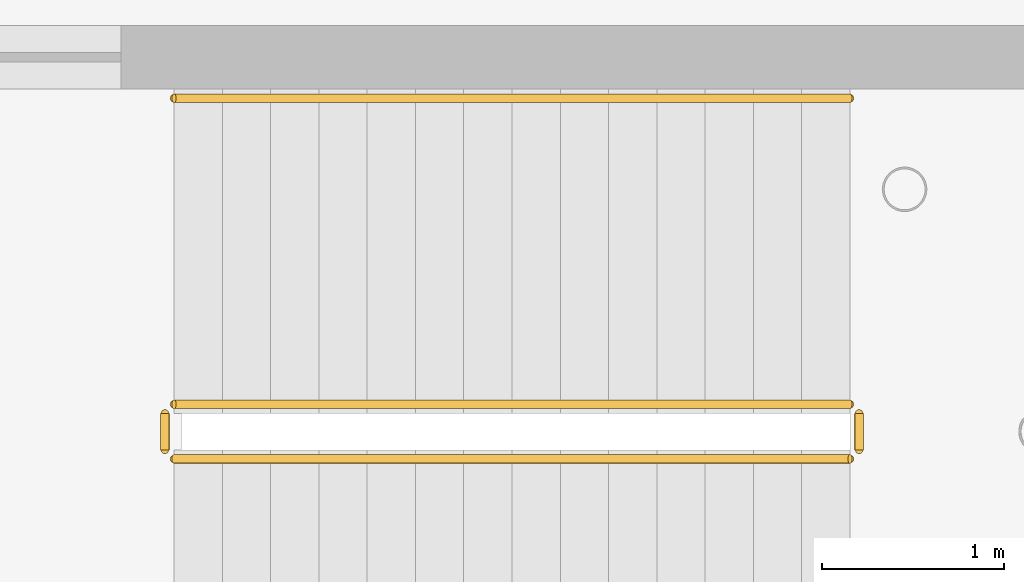
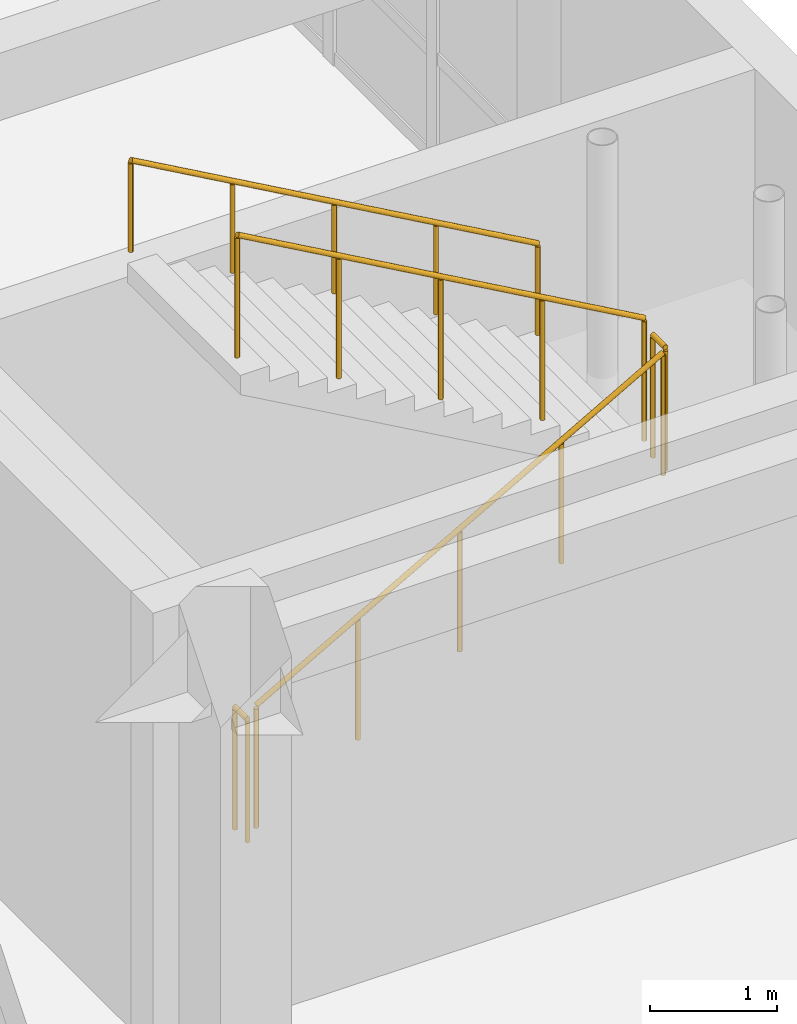
# One storey, part 158 of 160: 5 railings.
"""IFC4 building model written with IfcOpenShell, lengths in metres."""

from ifc_helpers import new_model, si_unit, direction, frame, origin, origin_2d, place, context, subcontext, project, spatial, circle, extrude, material, type_object, element, save


model = new_model("IFC4")

# Units and contexts
model_context = context("Model", 3, precision=1e-05, world=origin(), true_north=direction((0.0, 1.0)))
body_context = subcontext(model_context, "Body", "Model", "MODEL_VIEW")
ifc_project = project(units=[si_unit("LENGTHUNIT", "METRE"), si_unit("AREAUNIT", "SQUARE_METRE"), si_unit("VOLUMEUNIT", "CUBIC_METRE"), si_unit("PLANEANGLEUNIT", "RADIAN"), si_unit("MASSUNIT", "GRAM", prefix="KILO")], contexts=[model_context])

# Site, building, storey
site_placement = place(None, origin())
site = spatial("IfcSite", under=ifc_project, at=site_placement, CompositionType="ELEMENT")
building_placement = place(site_placement, origin())
building = spatial("IfcBuilding", under=site, at=building_placement, Name="Kharva Crest Polytechnic", CompositionType="ELEMENT")
storey_placement = place(building_placement, frame((0.0, 0.0, 4.5)))
storey = spatial("IfcBuildingStorey", under=building, at=storey_placement, Name="L01", CompositionType="ELEMENT", Elevation=4.5)

# Railings
ifc_material_1 = material(Name="Anodised aluminium", Category="aluminium")
railing_type_1 = type_object("IfcRailingType", Name="RL-STAIR-GUARD-1200", PredefinedType="GUARDRAIL", material=ifc_material_1)
railing_1_placement = place(storey_placement, frame((178.090087890625, 73.39990234375, 0.14990234375)))
element("IfcRailing", 1, at=railing_1_placement, inside=storey, type_object=railing_type_1, Name="L01 ST-05 stair guard 1", PredefinedType="GUARDRAIL", context=body_context, shape_type="SweptSolid", body=[
    extrude(circle(Radius=0.02392578125, at=origin_2d()), frame((0.0, 0.0, 1.17578125), z_axis=(0.870244811389, 0.0, 0.492619496418), x_axis=(0.0, 1.0, 0.0)), (0.0, 0.0, 1.0), 4.26318359375),
    extrude(circle(Radius=0.02099609375, at=origin_2d()), origin(), (0.0, 0.0, 1.0), 1.15185546875),
    extrude(circle(Radius=0.02099609375, at=origin_2d()), frame((0.927490234375, 0.0, 0.52490234375)), (0.0, 0.0, 1.0), 1.15185546875),
    extrude(circle(Radius=0.02099609375, at=origin_2d()), frame((1.85498046875, 0.0, 1.050048828125)), (0.0, 0.0, 1.0), 1.15185546875),
    extrude(circle(Radius=0.02099609375, at=origin_2d()), frame((2.782470703125, 0.0, 1.5751953125)), (0.0, 0.0, 1.0), 1.15185546875),
    extrude(circle(Radius=0.02099609375, at=origin_2d()), frame((3.7099609375, 0.0, 2.10009765625)), (0.0, 0.0, 1.0), 1.15185546875),
])
railing_2_placement = place(storey_placement, frame((181.85009765625, 73.449951171875, 2.25)))
element("IfcRailing", 2, at=railing_2_placement, inside=storey, type_object=railing_type_1, Name="L01 ST-05 stair guard 2", PredefinedType="GUARDRAIL", context=body_context, shape_type="SweptSolid", body=[
    extrude(circle(Radius=0.02392578125, at=origin_2d()), frame((0.0, 0.0, 1.17578125), z_axis=(0.0, 1.0, 0.0), x_axis=(-1.0, 0.0, 0.0)), (0.0, 0.0, 1.0), 0.199951171875),
    extrude(circle(Radius=0.02099609375, at=origin_2d()), origin(), (0.0, 0.0, 1.0), 1.15185546875),
    extrude(circle(Radius=0.02099609375, at=origin_2d()), frame((0.0, 0.199951171875, 0.0)), (0.0, 0.0, 1.0), 1.15185546875),
])
railing_3_placement = place(storey_placement, frame((181.800048828125, 73.699951171875, 2.39990234375)))
element("IfcRailing", 3, at=railing_3_placement, inside=storey, type_object=railing_type_1, Name="L01 ST-05 stair guard 3", PredefinedType="GUARDRAIL", context=body_context, shape_type="SweptSolid", body=[
    extrude(circle(Radius=0.02392578125, at=origin_2d()), frame((0.0, 0.0, 1.17578125), z_axis=(-0.870244811389, 0.0, 0.492619496418), x_axis=(0.0, -1.0, 0.0)), (0.0, 0.0, 1.0), 4.26318359375),
    extrude(circle(Radius=0.02099609375, at=origin_2d()), origin(), (0.0, 0.0, 1.0), 1.15185546875),
    extrude(circle(Radius=0.02099609375, at=origin_2d()), frame((-0.927490234375, 0.0, 0.52490234375)), (0.0, 0.0, 1.0), 1.15185546875),
    extrude(circle(Radius=0.02099609375, at=origin_2d()), frame((-1.85498046875, 0.0, 1.050048828125)), (0.0, 0.0, 1.0), 1.15185546875),
    extrude(circle(Radius=0.02099609375, at=origin_2d()), frame((-2.782470703125, 0.0, 1.5751953125)), (0.0, 0.0, 1.0), 1.15185546875),
    extrude(circle(Radius=0.02099609375, at=origin_2d()), frame((-3.7099609375, 0.0, 2.10009765625)), (0.0, 0.0, 1.0), 1.15185546875),
])
railing_4_placement = place(storey_placement, frame((178.0400390625, 73.449951171875, 0.0)))
element("IfcRailing", 4, at=railing_4_placement, inside=storey, type_object=railing_type_1, Name="L01 ST-05 stair guard 4", PredefinedType="GUARDRAIL", context=body_context, shape_type="SweptSolid", body=[
    extrude(circle(Radius=0.02392578125, at=origin_2d()), frame((0.0, 0.0, 1.17578125), z_axis=(0.0, 1.0, 0.0), x_axis=(-1.0, 0.0, 0.0)), (0.0, 0.0, 1.0), 0.199951171875),
    extrude(circle(Radius=0.02099609375, at=origin_2d()), origin(), (0.0, 0.0, 1.0), 1.15185546875),
    extrude(circle(Radius=0.02099609375, at=origin_2d()), frame((0.0, 0.199951171875, 0.0)), (0.0, 0.0, 1.0), 1.15185546875),
])
ifc_material_2 = material(Name="Teak timber", Category="wood")
railing_type_2 = type_object("IfcRailingType", Name="RL-STAIR-HAND-900", PredefinedType="HANDRAIL", material=ifc_material_2)
railing_5_placement = place(storey_placement, frame((181.800048828125, 75.3798828125, 2.39990234375)))
element("IfcRailing", 5, at=railing_5_placement, inside=storey, type_object=railing_type_2, Name="L01 ST-05 stair handrail 2", PredefinedType="HANDRAIL", context=body_context, shape_type="SweptSolid", body=[
    extrude(circle(Radius=0.02392578125, at=origin_2d()), frame((0.0, 0.0, 0.8759765625), z_axis=(-0.870244811389, 0.0, 0.492619496418), x_axis=(0.0, -1.0, 0.0)), (0.0, 0.0, 1.0), 4.26318359375),
    extrude(circle(Radius=0.02099609375, at=origin_2d()), origin(), (0.0, 0.0, 1.0), 0.851806640625),
    extrude(circle(Radius=0.02099609375, at=origin_2d()), frame((-0.927490234375, 0.0, 0.52490234375)), (0.0, 0.0, 1.0), 0.851806640625),
    extrude(circle(Radius=0.02099609375, at=origin_2d()), frame((-1.85498046875, 0.0, 1.050048828125)), (0.0, 0.0, 1.0), 0.851806640625),
    extrude(circle(Radius=0.02099609375, at=origin_2d()), frame((-2.782470703125, 0.0, 1.5751953125)), (0.0, 0.0, 1.0), 0.851806640625),
    extrude(circle(Radius=0.02099609375, at=origin_2d()), frame((-3.7099609375, 0.0, 2.10009765625)), (0.0, 0.0, 1.0), 0.851806640625),
])

save(model, "model.ifc")
